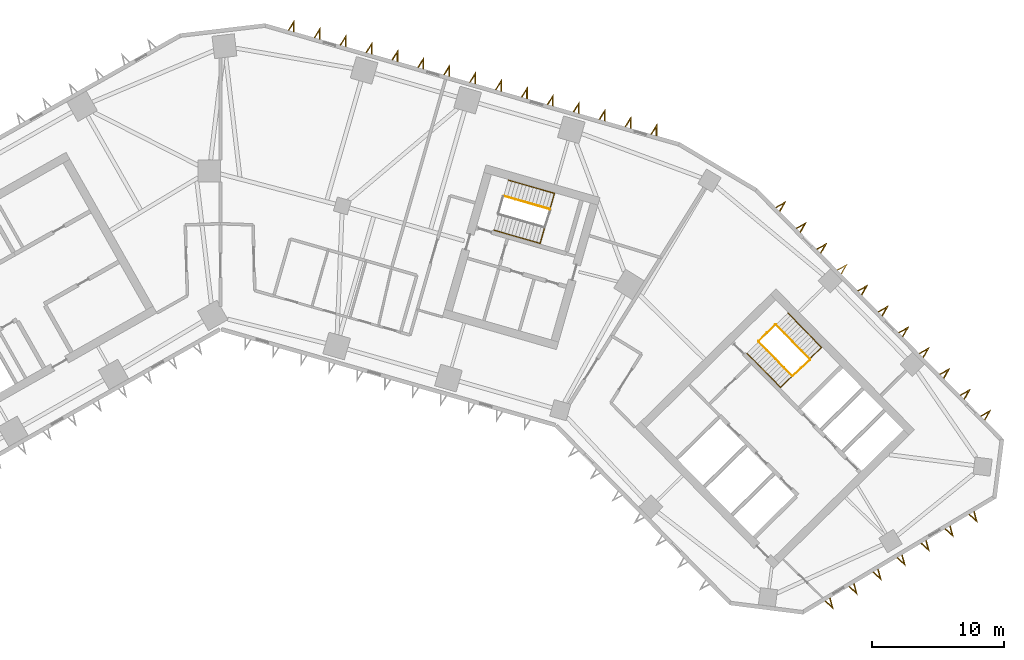
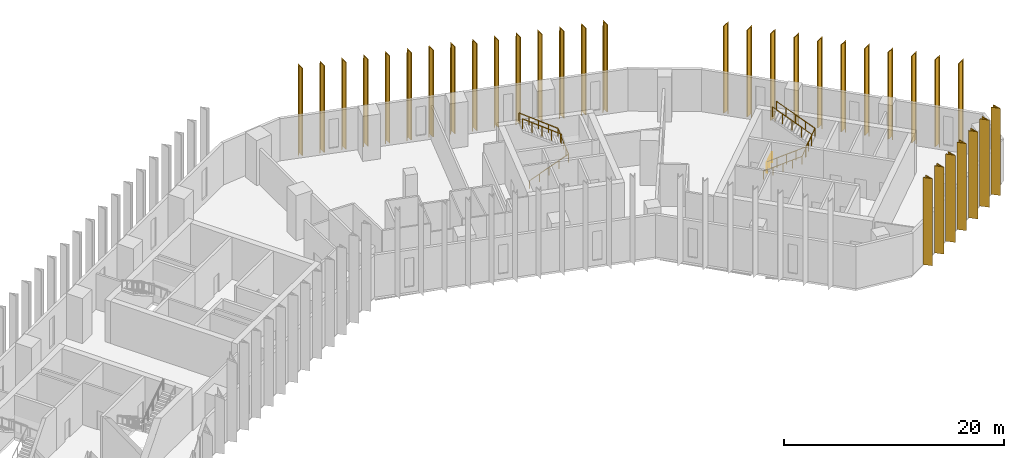
# One storey, part 11 of 11: 33 shading devices, 6 railings.
"""IFC4 building model written with IfcOpenShell, lengths in metres."""

from ifc_helpers import new_model, si_unit, direction, frame, origin, origin_2d, place, context, subcontext, project, spatial, polyline, circle, outline, extrude, material, type_object, element, save


model = new_model("IFC4")

# Units and contexts
model_context = context("Model", 3, precision=1e-05, world=origin(), true_north=direction((0.0, 1.0)))
body_context = subcontext(model_context, "Body", "Model", "MODEL_VIEW")
ifc_project = project(units=[si_unit("LENGTHUNIT", "METRE"), si_unit("AREAUNIT", "SQUARE_METRE"), si_unit("VOLUMEUNIT", "CUBIC_METRE"), si_unit("PLANEANGLEUNIT", "RADIAN"), si_unit("MASSUNIT", "GRAM", prefix="KILO")], contexts=[model_context])

# Site, building, storey
site_placement = place(None, origin())
site = spatial("IfcSite", under=ifc_project, at=site_placement, CompositionType="ELEMENT")
building_placement = place(site_placement, origin())
building = spatial("IfcBuilding", under=site, at=building_placement, Name="Binnacle Exchange Tower", CompositionType="ELEMENT")
storey_placement = place(building_placement, frame((0.0, 0.0, 36.5)))
storey = spatial("IfcBuildingStorey", under=building, at=storey_placement, Name="L07", CompositionType="ELEMENT", Elevation=36.5)

# Railings
ifc_material_1 = material(Name="Steel guard rail", Category="steel")
railing_type_1 = type_object("IfcRailingType", Name="STAIR GUARD 1100", PredefinedType="GUARDRAIL", material=ifc_material_1)
railing_1_placement = place(storey_placement, frame((40.822509765625, 47.046875, 0.178466796875)))
element("IfcRailing", 1, at=railing_1_placement, inside=storey, type_object=railing_type_1, Name="L07 STB1 stair guard 1", PredefinedType="GUARDRAIL", context=body_context, shape_type="SweptSolid", body=[
    extrude(circle(Radius=0.02392578125, at=origin_2d()), frame((0.0, 0.0, 1.076171875), z_axis=(0.590946962671, -0.60135215321, 0.537733461056), x_axis=(0.713250539553, 0.700909172309, 0.0)), (0.0, 0.0, 1.0), 4.317138671875),
    extrude(circle(Radius=0.02392578125, at=origin_2d()), frame((2.55126953125, -2.59619140625, 3.3974609375), z_axis=(0.732527851538, 0.680737061369, 0.0), x_axis=(-0.680737061369, 0.732527851538, 0.0)), (0.0, 0.0, 1.0), 1.80078125),
    extrude(circle(Radius=0.02099609375, at=origin_2d()), origin(), (0.0, 0.0, 1.0), 1.052001953125),
    extrude(circle(Radius=0.02099609375, at=origin_2d()), frame((0.6376953125, -0.64892578125, 0.580322265625)), (0.0, 0.0, 1.0), 1.052001953125),
    extrude(circle(Radius=0.02099609375, at=origin_2d()), frame((1.275634765625, -1.298095703125, 1.16064453125)), (0.0, 0.0, 1.0), 1.052001953125),
    extrude(circle(Radius=0.02099609375, at=origin_2d()), frame((1.91357421875, -1.947265625, 1.7412109375)), (0.0, 0.0, 1.0), 1.052001953125),
    extrude(circle(Radius=0.02099609375, at=origin_2d()), frame((2.55126953125, -2.59619140625, 2.321533203125)), (0.0, 0.0, 1.0), 1.052001953125),
    extrude(circle(Radius=0.02099609375, at=origin_2d()), frame((3.2109375, -1.9833984375, 2.321533203125)), (0.0, 0.0, 1.0), 1.052001953125),
    extrude(circle(Radius=0.02099609375, at=origin_2d()), frame((3.870361328125, -1.370361328125, 2.321533203125)), (0.0, 0.0, 1.0), 1.052001953125),
])
railing_2_placement = place(storey_placement, frame((44.693359375, 45.747314453125, 2.678466796875)))
element("IfcRailing", 2, at=railing_2_placement, inside=storey, type_object=railing_type_1, Name="L07 STB1 stair guard 2", PredefinedType="GUARDRAIL", context=body_context, shape_type="SweptSolid", body=[
    extrude(circle(Radius=0.02392578125, at=origin_2d()), frame((0.0, 0.0, 1.076171875), z_axis=(-0.590946962671, 0.60135215321, 0.537733461056), x_axis=(-0.713250539553, -0.700909172309, 0.0)), (0.0, 0.0, 1.0), 4.317138671875),
    extrude(circle(Radius=0.02099609375, at=origin_2d()), origin(), (0.0, 0.0, 1.0), 1.052001953125),
    extrude(circle(Radius=0.02099609375, at=origin_2d()), frame((-0.6376953125, 0.64892578125, 0.580322265625)), (0.0, 0.0, 1.0), 1.052001953125),
    extrude(circle(Radius=0.02099609375, at=origin_2d()), frame((-1.275634765625, 1.298095703125, 1.16064453125)), (0.0, 0.0, 1.0), 1.052001953125),
    extrude(circle(Radius=0.02099609375, at=origin_2d()), frame((-1.91357421875, 1.947265625, 1.7412109375)), (0.0, 0.0, 1.0), 1.052001953125),
    extrude(circle(Radius=0.02099609375, at=origin_2d()), frame((-2.55126953125, 2.59619140625, 2.321533203125)), (0.0, 0.0, 1.0), 1.052001953125),
])
railing_3_placement = place(storey_placement, frame((40.8232421875, 47.117431640625, 0.0)))
element("IfcRailing", 3, at=railing_3_placement, inside=storey, type_object=railing_type_1, Name="L07 STB1 stair guard 3", PredefinedType="GUARDRAIL", context=body_context, shape_type="SweptSolid", body=[
    extrude(circle(Radius=0.02392578125, at=origin_2d()), frame((0.0, 0.0, 1.076171875), z_axis=(0.713218950569, 0.700941316052, 0.0), x_axis=(-0.700941316052, 0.713218950569, 0.0)), (0.0, 0.0, 1.0), 1.75),
    extrude(circle(Radius=0.02099609375, at=origin_2d()), origin(), (0.0, 0.0, 1.0), 1.052001953125),
    extrude(circle(Radius=0.02099609375, at=origin_2d()), frame((0.6240234375, 0.61328125, 0.0)), (0.0, 0.0, 1.0), 1.052001953125),
    extrude(circle(Radius=0.02099609375, at=origin_2d()), frame((1.248046875, 1.2265625, 0.0)), (0.0, 0.0, 1.0), 1.052001953125),
])
railing_4_placement = place(storey_placement, frame((24.9853515625, 57.100830078125, 2.678466796875)))
element("IfcRailing", 4, at=railing_4_placement, inside=storey, type_object=railing_type_1, Name="L07 STD1 stair guard 2", PredefinedType="GUARDRAIL", context=body_context, shape_type="SweptSolid", body=[
    extrude(circle(Radius=0.02392578125, at=origin_2d()), frame((0.0, 0.0, 1.076171875), z_axis=(-0.810455892038, 0.232415135102, 0.537721537635), x_axis=(-0.275659984683, -0.961255206927, 0.0)), (0.0, 0.0, 1.0), 4.3173828125),
    extrude(circle(Radius=0.02099609375, at=origin_2d()), origin(), (0.0, 0.0, 1.0), 1.052001953125),
    extrude(circle(Radius=0.02099609375, at=origin_2d()), frame((-0.874755859375, 0.2509765625, 0.580322265625)), (0.0, 0.0, 1.0), 1.052001953125),
    extrude(circle(Radius=0.02099609375, at=origin_2d()), frame((-1.74951171875, 0.501708984375, 1.16064453125)), (0.0, 0.0, 1.0), 1.052001953125),
    extrude(circle(Radius=0.02099609375, at=origin_2d()), frame((-2.624267578125, 0.75244140625, 1.7412109375)), (0.0, 0.0, 1.0), 1.052001953125),
    extrude(circle(Radius=0.02099609375, at=origin_2d()), frame((-3.4990234375, 1.00341796875, 2.321533203125)), (0.0, 0.0, 1.0), 1.052001953125),
])
ifc_material_2 = material(Name="Steel handrail", Category="steel")
railing_type_2 = type_object("IfcRailingType", Name="STAIR HANDRAIL 900", PredefinedType="HANDRAIL", material=ifc_material_2)
railing_5_placement = place(storey_placement, frame((39.930908203125, 46.170654296875, 0.178466796875)))
element("IfcRailing", 5, at=railing_5_placement, inside=storey, type_object=railing_type_2, Name="L07 STB1 stair handrail 1", PredefinedType="HANDRAIL", context=body_context, shape_type="SweptSolid", body=[
    extrude(circle(Radius=0.02392578125, at=origin_2d()), frame((0.0, 0.0, 0.8759765625), z_axis=(0.590983762497, -0.601332057257, 0.53771549111), x_axis=(0.713217009097, 0.700943291525, 0.0)), (0.0, 0.0, 1.0), 4.3173828125),
    extrude(circle(Radius=0.02392578125, at=origin_2d()), frame((2.551513671875, -2.59619140625, 3.197265625), z_axis=(0.712654164256, 0.700316745611, 0.040993877406), x_axis=(-0.700905928746, 0.713253726978, 0.0)), (0.0, 0.0, 1.0), 4.353515625),
    extrude(circle(Radius=0.02392578125, at=origin_2d()), frame((5.654052734375, 0.45263671875, 3.3759765625), z_axis=(-0.590926866753, 0.601388251475, 0.537715174732), x_axis=(-0.713283488215, -0.700875641922, 0.0)), (0.0, 0.0, 1.0), 4.3173828125),
    extrude(circle(Radius=0.02099609375, at=origin_2d()), origin(), (0.0, 0.0, 1.0), 0.851806640625),
    extrude(circle(Radius=0.02099609375, at=origin_2d()), frame((0.637939453125, -0.64892578125, 0.580322265625)), (0.0, 0.0, 1.0), 0.851806640625),
    extrude(circle(Radius=0.02099609375, at=origin_2d()), frame((1.27587890625, -1.298095703125, 1.16064453125)), (0.0, 0.0, 1.0), 0.851806640625),
    extrude(circle(Radius=0.02099609375, at=origin_2d()), frame((1.91357421875, -1.947265625, 1.7412109375)), (0.0, 0.0, 1.0), 0.851806640625),
    extrude(circle(Radius=0.02099609375, at=origin_2d()), frame((2.551513671875, -2.59619140625, 2.321533203125)), (0.0, 0.0, 1.0), 0.851806640625),
    extrude(circle(Radius=0.02099609375, at=origin_2d()), frame((3.3271484375, -1.833984375, 2.3662109375)), (0.0, 0.0, 1.0), 0.851806640625),
    extrude(circle(Radius=0.02099609375, at=origin_2d()), frame((4.102783203125, -1.07177734375, 2.41064453125)), (0.0, 0.0, 1.0), 0.851806640625),
    extrude(circle(Radius=0.02099609375, at=origin_2d()), frame((4.87841796875, -0.3095703125, 2.455322265625)), (0.0, 0.0, 1.0), 0.851806640625),
    extrude(circle(Radius=0.02099609375, at=origin_2d()), frame((5.654052734375, 0.45263671875, 2.5)), (0.0, 0.0, 1.0), 0.851806640625),
    extrude(circle(Radius=0.02099609375, at=origin_2d()), frame((5.01611328125, 1.101806640625, 3.080322265625)), (0.0, 0.0, 1.0), 0.851806640625),
    extrude(circle(Radius=0.02099609375, at=origin_2d()), frame((4.37841796875, 1.7509765625, 3.66064453125)), (0.0, 0.0, 1.0), 0.851806640625),
    extrude(circle(Radius=0.02099609375, at=origin_2d()), frame((3.74072265625, 2.39990234375, 4.2412109375)), (0.0, 0.0, 1.0), 0.851806640625),
    extrude(circle(Radius=0.02099609375, at=origin_2d()), frame((3.102783203125, 3.049072265625, 4.821533203125)), (0.0, 0.0, 1.0), 0.851806640625),
])
railing_6_placement = place(storey_placement, frame((20.7421875, 55.5087890625, 0.178466796875)))
element("IfcRailing", 6, at=railing_6_placement, inside=storey, type_object=railing_type_2, Name="L07 STD1 stair handrail 1", PredefinedType="HANDRAIL", context=body_context, shape_type="SweptSolid", body=[
    extrude(circle(Radius=0.02392578125, at=origin_2d()), frame((0.0, 0.0, 0.8759765625), z_axis=(0.810436485383, -0.2324257871, 0.537746182368), x_axis=(0.27567775811, 0.961250109848, 0.0)), (0.0, 0.0, 1.0), 4.317138671875),
    extrude(circle(Radius=0.02392578125, at=origin_2d()), frame((3.498779296875, -1.00341796875, 3.197265625), z_axis=(0.275370676617, 0.960278056821, 0.045133624351), x_axis=(-0.961257617982, 0.275651576943, 0.0)), (0.0, 0.0, 1.0), 3.9541015625),
    extrude(circle(Radius=0.02392578125, at=origin_2d()), frame((4.587646484375, 2.793701171875, 3.3759765625), z_axis=(-0.810466542589, 0.232361639932, 0.537728604067), x_axis=(-0.275598008994, -0.961272977587, 0.0)), (0.0, 0.0, 1.0), 4.3173828125),
    extrude(circle(Radius=0.02099609375, at=origin_2d()), origin(), (0.0, 0.0, 1.0), 0.851806640625),
    extrude(circle(Radius=0.02099609375, at=origin_2d()), frame((0.874755859375, -0.2509765625, 0.580322265625)), (0.0, 0.0, 1.0), 0.851806640625),
    extrude(circle(Radius=0.02099609375, at=origin_2d()), frame((1.74951171875, -0.501708984375, 1.16064453125)), (0.0, 0.0, 1.0), 0.851806640625),
    extrude(circle(Radius=0.02099609375, at=origin_2d()), frame((2.6240234375, -0.75244140625, 1.7412109375)), (0.0, 0.0, 1.0), 0.851806640625),
    extrude(circle(Radius=0.02099609375, at=origin_2d()), frame((3.498779296875, -1.00341796875, 2.321533203125)), (0.0, 0.0, 1.0), 0.851806640625),
    extrude(circle(Radius=0.02099609375, at=origin_2d()), frame((3.77099609375, -0.05419921875, 2.3662109375)), (0.0, 0.0, 1.0), 0.851806640625),
    extrude(circle(Radius=0.02099609375, at=origin_2d()), frame((4.043212890625, 0.89501953125, 2.41064453125)), (0.0, 0.0, 1.0), 0.851806640625),
    extrude(circle(Radius=0.02099609375, at=origin_2d()), frame((4.3154296875, 1.844482421875, 2.455322265625)), (0.0, 0.0, 1.0), 0.851806640625),
    extrude(circle(Radius=0.02099609375, at=origin_2d()), frame((4.587646484375, 2.793701171875, 2.5)), (0.0, 0.0, 1.0), 0.851806640625),
    extrude(circle(Radius=0.02099609375, at=origin_2d()), frame((3.712890625, 3.04443359375, 3.080322265625)), (0.0, 0.0, 1.0), 0.851806640625),
    extrude(circle(Radius=0.02099609375, at=origin_2d()), frame((2.838134765625, 3.29541015625, 3.66064453125)), (0.0, 0.0, 1.0), 0.851806640625),
    extrude(circle(Radius=0.02099609375, at=origin_2d()), frame((1.96337890625, 3.546142578125, 4.2412109375)), (0.0, 0.0, 1.0), 0.851806640625),
    extrude(circle(Radius=0.02099609375, at=origin_2d()), frame((1.088623046875, 3.796875, 4.821533203125)), (0.0, 0.0, 1.0), 0.851806640625),
])

# Shading devices
ifc_material_3 = material(Name="Bronze aluminium cladding", Category="aluminium")
shading_device_type = type_object("IfcShadingDeviceType", Name="V FIN 867 DEEP x 9680 HIGH", PredefinedType="USERDEFINED", material=ifc_material_3)
shading_device_1_placement = place(storey_placement, origin())
element("IfcShadingDevice", 7, at=shading_device_1_placement, inside=storey, type_object=shading_device_type, Name="V fin FN-F01-01 L07", ObjectType="FIN", PredefinedType="USERDEFINED", context=body_context, shape_type="SweptSolid", body=[
    extrude(outline(polyline([(33.107421875, 62.66259765625), (33.106201171875, 63.56494140625), (32.626708984375, 62.800537109375), (32.706787109375, 62.777587890625), (33.026611328125, 63.28759765625), (33.02734375, 62.685546875), (33.107421875, 62.66259765625)])), origin(), (0.0, 0.0, 1.0), 9.679931640625),
])
shading_device_2_placement = place(storey_placement, origin())
element("IfcShadingDevice", 8, at=shading_device_2_placement, inside=storey, type_object=shading_device_type, Name="V fin FN-F01-02 L07", ObjectType="FIN", PredefinedType="USERDEFINED", context=body_context, shape_type="SweptSolid", body=[
    extrude(outline(polyline([(31.143310546875, 63.225830078125), (31.141845703125, 64.128173828125), (30.66259765625, 63.36376953125), (30.74267578125, 63.3408203125), (31.062255859375, 63.8505859375), (31.063232421875, 63.248779296875), (31.143310546875, 63.225830078125)])), origin(), (0.0, 0.0, 1.0), 9.679931640625),
])
shading_device_3_placement = place(storey_placement, origin())
element("IfcShadingDevice", 9, at=shading_device_3_placement, inside=storey, type_object=shading_device_type, Name="V fin FN-F01-03 L07", ObjectType="FIN", PredefinedType="USERDEFINED", context=body_context, shape_type="SweptSolid", body=[
    extrude(outline(polyline([(29.17919921875, 63.7890625), (29.177978515625, 64.69140625), (28.698486328125, 63.927001953125), (28.778564453125, 63.904052734375), (29.098388671875, 64.413818359375), (29.09912109375, 63.81201171875), (29.17919921875, 63.7890625)])), origin(), (0.0, 0.0, 1.0), 9.679931640625),
])
shading_device_4_placement = place(storey_placement, origin())
element("IfcShadingDevice", 10, at=shading_device_4_placement, inside=storey, type_object=shading_device_type, Name="V fin FN-F01-04 L07", ObjectType="FIN", PredefinedType="USERDEFINED", context=body_context, shape_type="SweptSolid", body=[
    extrude(outline(polyline([(27.215087890625, 64.352294921875), (27.2138671875, 65.254638671875), (26.734619140625, 64.489990234375), (26.814453125, 64.46728515625), (27.13427734375, 64.97705078125), (27.135009765625, 64.375244140625), (27.215087890625, 64.352294921875)])), origin(), (0.0, 0.0, 1.0), 9.679931640625),
])
shading_device_5_placement = place(storey_placement, origin())
element("IfcShadingDevice", 11, at=shading_device_5_placement, inside=storey, type_object=shading_device_type, Name="V fin FN-F01-05 L07", ObjectType="FIN", PredefinedType="USERDEFINED", context=body_context, shape_type="SweptSolid", body=[
    extrude(outline(polyline([(25.2509765625, 64.91552734375), (25.249755859375, 65.81787109375), (24.7705078125, 65.05322265625), (24.850341796875, 65.030517578125), (25.170166015625, 65.540283203125), (25.1708984375, 64.9384765625), (25.2509765625, 64.91552734375)])), origin(), (0.0, 0.0, 1.0), 9.679931640625),
])
shading_device_6_placement = place(storey_placement, origin())
element("IfcShadingDevice", 12, at=shading_device_6_placement, inside=storey, type_object=shading_device_type, Name="V fin FN-F01-06 L07", ObjectType="FIN", PredefinedType="USERDEFINED", context=body_context, shape_type="SweptSolid", body=[
    extrude(outline(polyline([(23.287109375, 65.478515625), (23.28564453125, 66.380859375), (22.806396484375, 65.616455078125), (22.886474609375, 65.593505859375), (23.2060546875, 66.103515625), (23.20703125, 65.50146484375), (23.287109375, 65.478515625)])), origin(), (0.0, 0.0, 1.0), 9.679931640625),
])
shading_device_7_placement = place(storey_placement, origin())
element("IfcShadingDevice", 13, at=shading_device_7_placement, inside=storey, type_object=shading_device_type, Name="V fin FN-F01-07 L07", ObjectType="FIN", PredefinedType="USERDEFINED", context=body_context, shape_type="SweptSolid", body=[
    extrude(outline(polyline([(21.32275390625, 66.041748046875), (21.321533203125, 66.944091796875), (20.84228515625, 66.1796875), (20.922119140625, 66.15673828125), (21.241943359375, 66.66650390625), (21.242919921875, 66.064697265625), (21.32275390625, 66.041748046875)])), origin(), (0.0, 0.0, 1.0), 9.679931640625),
])
shading_device_8_placement = place(storey_placement, origin())
element("IfcShadingDevice", 14, at=shading_device_8_placement, inside=storey, type_object=shading_device_type, Name="V fin FN-F01-08 L07", ObjectType="FIN", PredefinedType="USERDEFINED", context=body_context, shape_type="SweptSolid", body=[
    extrude(outline(polyline([(19.35888671875, 66.60498046875), (19.357421875, 67.50732421875), (18.878173828125, 66.742919921875), (18.958251953125, 66.719970703125), (19.27783203125, 67.229736328125), (19.27880859375, 66.6279296875), (19.35888671875, 66.60498046875)])), origin(), (0.0, 0.0, 1.0), 9.679931640625),
])
shading_device_9_placement = place(storey_placement, origin())
element("IfcShadingDevice", 15, at=shading_device_9_placement, inside=storey, type_object=shading_device_type, Name="V fin FN-F01-09 L07", ObjectType="FIN", PredefinedType="USERDEFINED", context=body_context, shape_type="SweptSolid", body=[
    extrude(outline(polyline([(17.394775390625, 67.168212890625), (17.393310546875, 68.070556640625), (16.9140625, 67.305908203125), (16.994140625, 67.283203125), (17.313720703125, 67.79296875), (17.314697265625, 67.191162109375), (17.394775390625, 67.168212890625)])), origin(), (0.0, 0.0, 1.0), 9.679931640625),
])
shading_device_10_placement = place(storey_placement, origin())
element("IfcShadingDevice", 16, at=shading_device_10_placement, inside=storey, type_object=shading_device_type, Name="V fin FN-F01-10 L07", ObjectType="FIN", PredefinedType="USERDEFINED", context=body_context, shape_type="SweptSolid", body=[
    extrude(outline(polyline([(15.4306640625, 67.7314453125), (15.42919921875, 68.6337890625), (14.949951171875, 67.869140625), (15.030029296875, 67.84619140625), (15.349609375, 68.356201171875), (15.3505859375, 67.75439453125), (15.4306640625, 67.7314453125)])), origin(), (0.0, 0.0, 1.0), 9.679931640625),
])
shading_device_11_placement = place(storey_placement, origin())
element("IfcShadingDevice", 17, at=shading_device_11_placement, inside=storey, type_object=shading_device_type, Name="V fin FN-F01-11 L07", ObjectType="FIN", PredefinedType="USERDEFINED", context=body_context, shape_type="SweptSolid", body=[
    extrude(outline(polyline([(13.466552734375, 68.294677734375), (13.465087890625, 69.197021484375), (12.98583984375, 68.432373046875), (13.06591796875, 68.409423828125), (13.385498046875, 68.91943359375), (13.386474609375, 68.3173828125), (13.466552734375, 68.294677734375)])), origin(), (0.0, 0.0, 1.0), 9.679931640625),
])
shading_device_12_placement = place(storey_placement, origin())
element("IfcShadingDevice", 18, at=shading_device_12_placement, inside=storey, type_object=shading_device_type, Name="V fin FN-F01-12 L07", ObjectType="FIN", PredefinedType="USERDEFINED", context=body_context, shape_type="SweptSolid", body=[
    extrude(outline(polyline([(11.50244140625, 68.85791015625), (11.501220703125, 69.760009765625), (11.021728515625, 68.99560546875), (11.101806640625, 68.97265625), (11.42138671875, 69.482666015625), (11.42236328125, 68.880615234375), (11.50244140625, 68.85791015625)])), origin(), (0.0, 0.0, 1.0), 9.679931640625),
])
shading_device_13_placement = place(storey_placement, origin())
element("IfcShadingDevice", 19, at=shading_device_13_placement, inside=storey, type_object=shading_device_type, Name="V fin FN-F01-13 L07", ObjectType="FIN", PredefinedType="USERDEFINED", context=body_context, shape_type="SweptSolid", body=[
    extrude(outline(polyline([(9.538330078125, 69.4208984375), (9.537109375, 70.3232421875), (9.0576171875, 69.558837890625), (9.1376953125, 69.535888671875), (9.45751953125, 70.0458984375), (9.458251953125, 69.44384765625), (9.538330078125, 69.4208984375)])), origin(), (0.0, 0.0, 1.0), 9.679931640625),
])
shading_device_14_placement = place(storey_placement, origin())
element("IfcShadingDevice", 20, at=shading_device_14_placement, inside=storey, type_object=shading_device_type, Name="V fin FN-F01-14 L07", ObjectType="FIN", PredefinedType="USERDEFINED", context=body_context, shape_type="SweptSolid", body=[
    extrude(outline(polyline([(7.57421875, 69.984130859375), (7.572998046875, 70.886474609375), (7.09375, 70.1220703125), (7.173583984375, 70.09912109375), (7.493408203125, 70.60888671875), (7.494384765625, 70.007080078125), (7.57421875, 69.984130859375)])), origin(), (0.0, 0.0, 1.0), 9.679931640625),
])
shading_device_15_placement = place(storey_placement, origin())
element("IfcShadingDevice", 21, at=shading_device_15_placement, inside=storey, type_object=shading_device_type, Name="V fin FN-F01-15 L07", ObjectType="FIN", PredefinedType="USERDEFINED", context=body_context, shape_type="SweptSolid", body=[
    extrude(outline(polyline([(5.610107421875, 70.54736328125), (5.60888671875, 71.44970703125), (5.12939453125, 70.685302734375), (5.20947265625, 70.662353515625), (5.529296875, 71.172119140625), (5.530029296875, 70.5703125), (5.610107421875, 70.54736328125)])), origin(), (0.0, 0.0, 1.0), 9.679931640625),
])
shading_device_16_placement = place(storey_placement, origin())
element("IfcShadingDevice", 22, at=shading_device_16_placement, inside=storey, type_object=shading_device_type, Name="V fin FN-F11-01 L07", ObjectType="FIN", PredefinedType="USERDEFINED", context=body_context, shape_type="SweptSolid", body=[
    extrude(outline(polyline([(45.82861328125, 27.361572265625), (46.4892578125, 26.747314453125), (46.257080078125, 27.619140625), (46.185791015625, 27.576416015625), (46.340576171875, 26.99462890625), (45.89990234375, 27.404541015625), (45.82861328125, 27.361572265625)])), origin(), (0.0, 0.0, 1.0), 9.679931640625),
])
shading_device_17_placement = place(storey_placement, origin())
element("IfcShadingDevice", 23, at=shading_device_17_placement, inside=storey, type_object=shading_device_type, Name="V fin FN-F11-02 L07", ObjectType="FIN", PredefinedType="USERDEFINED", context=body_context, shape_type="SweptSolid", body=[
    extrude(outline(polyline([(47.64990234375, 28.4560546875), (48.310791015625, 27.841552734375), (48.07861328125, 28.713623046875), (48.007080078125, 28.670654296875), (48.162109375, 28.089111328125), (47.721435546875, 28.498779296875), (47.64990234375, 28.4560546875)])), origin(), (0.0, 0.0, 1.0), 9.679931640625),
])
shading_device_18_placement = place(storey_placement, origin())
element("IfcShadingDevice", 24, at=shading_device_18_placement, inside=storey, type_object=shading_device_type, Name="V fin FN-F11-03 L07", ObjectType="FIN", PredefinedType="USERDEFINED", context=body_context, shape_type="SweptSolid", body=[
    extrude(outline(polyline([(49.471435546875, 29.550537109375), (50.13232421875, 28.93603515625), (49.900146484375, 29.80810546875), (49.82861328125, 29.76513671875), (49.983642578125, 29.18359375), (49.54296875, 29.593505859375), (49.471435546875, 29.550537109375)])), origin(), (0.0, 0.0, 1.0), 9.679931640625),
])
shading_device_19_placement = place(storey_placement, origin())
element("IfcShadingDevice", 25, at=shading_device_19_placement, inside=storey, type_object=shading_device_type, Name="V fin FN-F11-04 L07", ObjectType="FIN", PredefinedType="USERDEFINED", context=body_context, shape_type="SweptSolid", body=[
    extrude(outline(polyline([(51.29296875, 30.64501953125), (51.953857421875, 30.030517578125), (51.7216796875, 30.902587890625), (51.650146484375, 30.859619140625), (51.80517578125, 30.278076171875), (51.364501953125, 30.687744140625), (51.29296875, 30.64501953125)])), origin(), (0.0, 0.0, 1.0), 9.679931640625),
])
shading_device_20_placement = place(storey_placement, origin())
element("IfcShadingDevice", 26, at=shading_device_20_placement, inside=storey, type_object=shading_device_type, Name="V fin FN-F11-05 L07", ObjectType="FIN", PredefinedType="USERDEFINED", context=body_context, shape_type="SweptSolid", body=[
    extrude(outline(polyline([(53.114501953125, 31.739501953125), (53.775390625, 31.125), (53.543212890625, 31.9970703125), (53.4716796875, 31.9541015625), (53.626708984375, 31.37255859375), (53.185791015625, 31.7822265625), (53.114501953125, 31.739501953125)])), origin(), (0.0, 0.0, 1.0), 9.679931640625),
])
shading_device_21_placement = place(storey_placement, origin())
element("IfcShadingDevice", 27, at=shading_device_21_placement, inside=storey, type_object=shading_device_type, Name="V fin FN-F11-06 L07", ObjectType="FIN", PredefinedType="USERDEFINED", context=body_context, shape_type="SweptSolid", body=[
    extrude(outline(polyline([(54.935791015625, 32.833984375), (55.5966796875, 32.219482421875), (55.364501953125, 33.091552734375), (55.293212890625, 33.048583984375), (55.447998046875, 32.467041015625), (55.00732421875, 32.876708984375), (54.935791015625, 32.833984375)])), origin(), (0.0, 0.0, 1.0), 9.679931640625),
])
shading_device_22_placement = place(storey_placement, origin())
element("IfcShadingDevice", 28, at=shading_device_22_placement, inside=storey, type_object=shading_device_type, Name="V fin FN-F11-07 L07", ObjectType="FIN", PredefinedType="USERDEFINED", context=body_context, shape_type="SweptSolid", body=[
    extrude(outline(polyline([(56.75732421875, 33.92822265625), (57.418212890625, 33.31396484375), (57.18603515625, 34.185791015625), (57.114501953125, 34.14306640625), (57.26953125, 33.561279296875), (56.828857421875, 33.97119140625), (56.75732421875, 33.92822265625)])), origin(), (0.0, 0.0, 1.0), 9.679931640625),
])
shading_device_23_placement = place(storey_placement, origin())
element("IfcShadingDevice", 29, at=shading_device_23_placement, inside=storey, type_object=shading_device_type, Name="V fin FN-F13-01 L07", ObjectType="FIN", PredefinedType="USERDEFINED", context=body_context, shape_type="SweptSolid", body=[
    extrude(outline(polyline([(57.990478515625, 41.087890625), (58.43359375, 41.873779296875), (57.64013671875, 41.444580078125), (57.698486328125, 41.385009765625), (58.227783203125, 41.67138671875), (57.93212890625, 41.147216796875), (57.990478515625, 41.087890625)])), origin(), (0.0, 0.0, 1.0), 9.679931640625),
])
shading_device_24_placement = place(storey_placement, origin())
element("IfcShadingDevice", 30, at=shading_device_24_placement, inside=storey, type_object=shading_device_type, Name="V fin FN-F13-02 L07", ObjectType="FIN", PredefinedType="USERDEFINED", context=body_context, shape_type="SweptSolid", body=[
    extrude(outline(polyline([(56.435791015625, 42.669921875), (56.879150390625, 43.455810546875), (56.08544921875, 43.026611328125), (56.143798828125, 42.967041015625), (56.673095703125, 43.25341796875), (56.377685546875, 42.729248046875), (56.435791015625, 42.669921875)])), origin(), (0.0, 0.0, 1.0), 9.679931640625),
])
shading_device_25_placement = place(storey_placement, origin())
element("IfcShadingDevice", 31, at=shading_device_25_placement, inside=storey, type_object=shading_device_type, Name="V fin FN-F13-03 L07", ObjectType="FIN", PredefinedType="USERDEFINED", context=body_context, shape_type="SweptSolid", body=[
    extrude(outline(polyline([(54.881103515625, 44.251953125), (55.324462890625, 45.037841796875), (54.53076171875, 44.6083984375), (54.589111328125, 44.549072265625), (55.118408203125, 44.83544921875), (54.822998046875, 44.311279296875), (54.881103515625, 44.251953125)])), origin(), (0.0, 0.0, 1.0), 9.679931640625),
])
shading_device_26_placement = place(storey_placement, origin())
element("IfcShadingDevice", 32, at=shading_device_26_placement, inside=storey, type_object=shading_device_type, Name="V fin FN-F13-04 L07", ObjectType="FIN", PredefinedType="USERDEFINED", context=body_context, shape_type="SweptSolid", body=[
    extrude(outline(polyline([(53.32666015625, 45.833984375), (53.769775390625, 46.619873046875), (52.976318359375, 46.1904296875), (53.034423828125, 46.131103515625), (53.563720703125, 46.41748046875), (53.268310546875, 45.893310546875), (53.32666015625, 45.833984375)])), origin(), (0.0, 0.0, 1.0), 9.679931640625),
])
shading_device_27_placement = place(storey_placement, origin())
element("IfcShadingDevice", 33, at=shading_device_27_placement, inside=storey, type_object=shading_device_type, Name="V fin FN-F13-05 L07", ObjectType="FIN", PredefinedType="USERDEFINED", context=body_context, shape_type="SweptSolid", body=[
    extrude(outline(polyline([(51.77197265625, 47.416015625), (52.215087890625, 48.201904296875), (51.421630859375, 47.7724609375), (51.47998046875, 47.713134765625), (52.00927734375, 47.99951171875), (51.713623046875, 47.475341796875), (51.77197265625, 47.416015625)])), origin(), (0.0, 0.0, 1.0), 9.679931640625),
])
shading_device_28_placement = place(storey_placement, origin())
element("IfcShadingDevice", 34, at=shading_device_28_placement, inside=storey, type_object=shading_device_type, Name="V fin FN-F13-06 L07", ObjectType="FIN", PredefinedType="USERDEFINED", context=body_context, shape_type="SweptSolid", body=[
    extrude(outline(polyline([(50.21728515625, 48.997802734375), (50.66064453125, 49.783935546875), (49.866943359375, 49.3544921875), (49.92529296875, 49.295166015625), (50.45458984375, 49.58154296875), (50.1591796875, 49.057373046875), (50.21728515625, 48.997802734375)])), origin(), (0.0, 0.0, 1.0), 9.679931640625),
])
shading_device_29_placement = place(storey_placement, origin())
element("IfcShadingDevice", 35, at=shading_device_29_placement, inside=storey, type_object=shading_device_type, Name="V fin FN-F13-07 L07", ObjectType="FIN", PredefinedType="USERDEFINED", context=body_context, shape_type="SweptSolid", body=[
    extrude(outline(polyline([(48.66259765625, 50.579833984375), (49.10595703125, 51.365966796875), (48.312255859375, 50.9365234375), (48.37060546875, 50.877197265625), (48.89990234375, 51.16357421875), (48.6044921875, 50.639404296875), (48.66259765625, 50.579833984375)])), origin(), (0.0, 0.0, 1.0), 9.679931640625),
])
shading_device_30_placement = place(storey_placement, origin())
element("IfcShadingDevice", 36, at=shading_device_30_placement, inside=storey, type_object=shading_device_type, Name="V fin FN-F13-08 L07", ObjectType="FIN", PredefinedType="USERDEFINED", context=body_context, shape_type="SweptSolid", body=[
    extrude(outline(polyline([(47.108154296875, 52.161865234375), (47.55126953125, 52.947998046875), (46.7578125, 52.5185546875), (46.81591796875, 52.458984375), (47.34521484375, 52.74560546875), (47.0498046875, 52.22119140625), (47.108154296875, 52.161865234375)])), origin(), (0.0, 0.0, 1.0), 9.679931640625),
])
shading_device_31_placement = place(storey_placement, origin())
element("IfcShadingDevice", 37, at=shading_device_31_placement, inside=storey, type_object=shading_device_type, Name="V fin FN-F13-09 L07", ObjectType="FIN", PredefinedType="USERDEFINED", context=body_context, shape_type="SweptSolid", body=[
    extrude(outline(polyline([(45.553466796875, 53.743896484375), (45.99658203125, 54.52978515625), (45.203125, 54.1005859375), (45.261474609375, 54.041015625), (45.790771484375, 54.327392578125), (45.4951171875, 53.80322265625), (45.553466796875, 53.743896484375)])), origin(), (0.0, 0.0, 1.0), 9.679931640625),
])
shading_device_32_placement = place(storey_placement, origin())
element("IfcShadingDevice", 38, at=shading_device_32_placement, inside=storey, type_object=shading_device_type, Name="V fin FN-F13-10 L07", ObjectType="FIN", PredefinedType="USERDEFINED", context=body_context, shape_type="SweptSolid", body=[
    extrude(outline(polyline([(43.998779296875, 55.325927734375), (44.442138671875, 56.11181640625), (43.6484375, 55.6826171875), (43.706787109375, 55.623046875), (44.236083984375, 55.909423828125), (43.940673828125, 55.38525390625), (43.998779296875, 55.325927734375)])), origin(), (0.0, 0.0, 1.0), 9.679931640625),
])
shading_device_33_placement = place(storey_placement, origin())
element("IfcShadingDevice", 39, at=shading_device_33_placement, inside=storey, type_object=shading_device_type, Name="V fin FN-F13-11 L07", ObjectType="FIN", PredefinedType="USERDEFINED", context=body_context, shape_type="SweptSolid", body=[
    extrude(outline(polyline([(42.444091796875, 56.907958984375), (42.887451171875, 57.69384765625), (42.09375, 57.264404296875), (42.152099609375, 57.205078125), (42.681396484375, 57.491455078125), (42.385986328125, 56.96728515625), (42.444091796875, 56.907958984375)])), origin(), (0.0, 0.0, 1.0), 9.679931640625),
])

save(model, "model.ifc")
